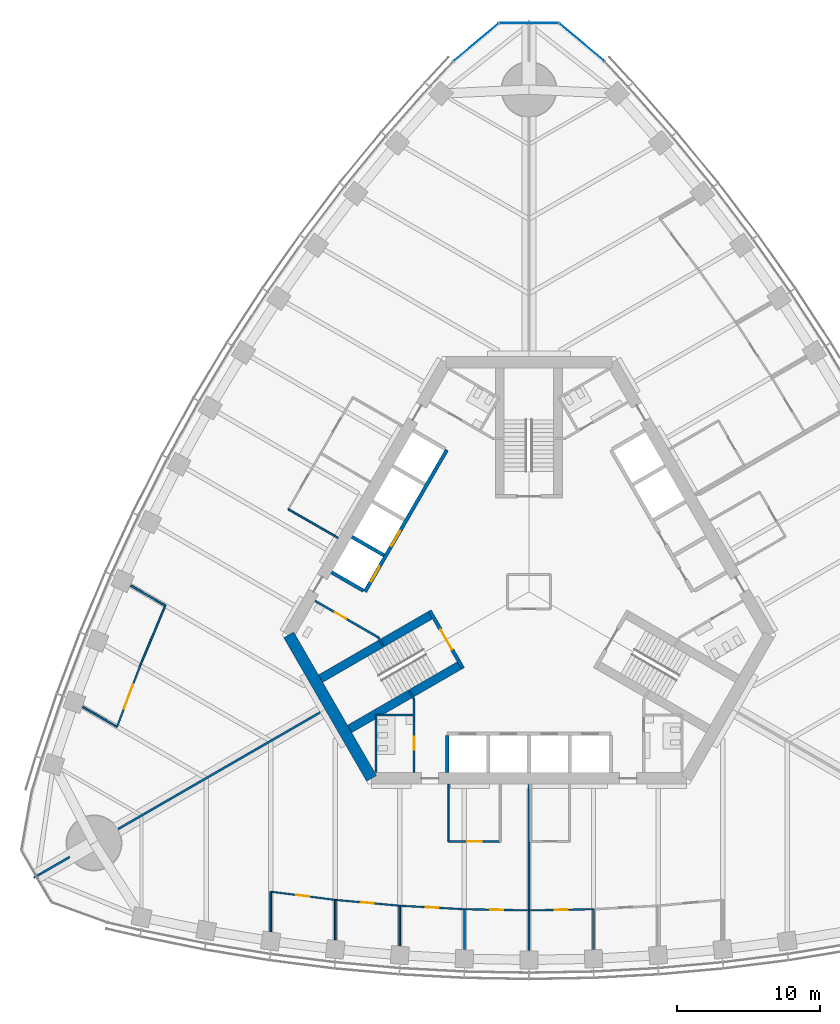
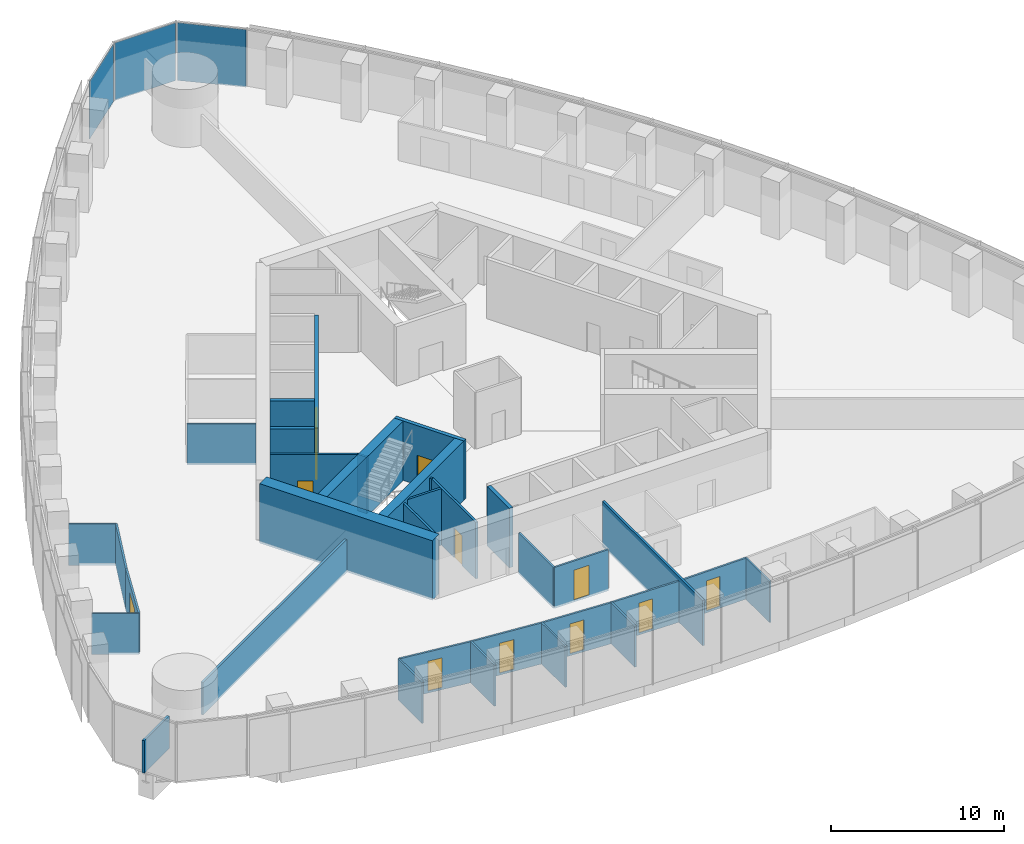
# One storey, part 11 of 19: 34 walls, 12 doors, 3 plates, 12 openings, 1 element without a shape of its own.
"""IFC4 building model written with IfcOpenShell, lengths in metres."""

from ifc_helpers import new_model, si_unit, direction, frame, frame_2d, origin, origin_2d, place, context, subcontext, project, spatial, rectangle, extrude, material, layer, layer_set, type_object, element, fill, aggregate, save


model = new_model("IFC4")

# Units and contexts
model_context = context("Model", 3, precision=1e-05, world=origin(), true_north=direction((0.0, 1.0)))
body_context = subcontext(model_context, "Body", "Model", "MODEL_VIEW")
ifc_project = project(units=[si_unit("LENGTHUNIT", "METRE"), si_unit("AREAUNIT", "SQUARE_METRE"), si_unit("VOLUMEUNIT", "CUBIC_METRE"), si_unit("PLANEANGLEUNIT", "RADIAN"), si_unit("MASSUNIT", "GRAM", prefix="KILO")], contexts=[model_context])

# Site, building, storey
site_placement = place(None, origin())
site = spatial("IfcSite", under=ifc_project, at=site_placement, CompositionType="ELEMENT")
building_placement = place(site_placement, origin())
building = spatial("IfcBuilding", under=site, at=building_placement, Name="Trefoil Bronze Tower", CompositionType="ELEMENT")
storey_placement = place(building_placement, frame((0.0, 0.0, 140.89990234375)))
storey = spatial("IfcBuildingStorey", under=building, at=storey_placement, Name="L32", CompositionType="ELEMENT", Elevation=140.89990234375)

# Curtain wall, plates
ifc_material_1 = material(Name="Tinted solar-control glass", Category="glass")
curtain_wall_type = type_object("IfcCurtainWallType", Name="Bronze rounded corner curtain wall", PredefinedType="USERDEFINED", material=ifc_material_1)
curtain_wall_placement = place(storey_placement, origin())
curtain_wall = element("IfcCurtainWall", 1, at=curtain_wall_placement, inside=storey, type_object=curtain_wall_type, Name="CW-B L32 K2", ObjectType="CURTAIN WALL", PredefinedType="USERDEFINED")
ifc_material_2 = material(Name="Tinted solar-control glass", Category="glass")
ifc_layer_1 = layer(ifc_material_2, 0.030029296875)
ifc_layer_set_1 = layer_set([ifc_layer_1], Name="Bronze rounded corner curtain wall glass panel")
plate_type = type_object("IfcPlateType", Name="Bronze rounded corner curtain wall glass panel", PredefinedType="CURTAIN_PANEL", material=ifc_layer_set_1)
plate_1_placement = place(storey_placement, frame((3.6884765625, 38.294921875, 0.0), z_axis=(0.0, 0.0, 1.0), x_axis=(-0.766044443119, 0.642787609687, 0.0)))
plate_1 = element("IfcPlate", 2, at=plate_1_placement, type_object=plate_type, Name="CW-B L32 K2 panel 1", PredefinedType="CURTAIN_PANEL", context=body_context, shape_type="SweptSolid", body=[
    extrude(rectangle(XDim=4.044189453125, YDim=0.030029296875, at=origin_2d()), origin(), (0.0, 0.0, 1.0), 4.080078125),
])
plate_2_placement = place(storey_placement, frame((0.0, 39.637451171875, 0.0), z_axis=(0.0, 0.0, 1.0), x_axis=(-1.0, 0.0, 0.0)))
plate_2 = element("IfcPlate", 3, at=plate_2_placement, type_object=plate_type, Name="CW-B L32 K2 panel 2", PredefinedType="CURTAIN_PANEL", context=body_context, shape_type="SweptSolid", body=[
    extrude(rectangle(XDim=4.044189453125, YDim=0.030029296875, at=origin_2d()), origin(), (0.0, 0.0, 1.0), 4.080078125),
])
plate_3_placement = place(storey_placement, frame((-3.6884765625, 38.294921875, 0.0), z_axis=(0.0, 0.0, 1.0), x_axis=(-0.766044443119, -0.642787609687, 0.0)))
plate_3 = element("IfcPlate", 4, at=plate_3_placement, type_object=plate_type, Name="CW-B L32 K2 panel 3", PredefinedType="CURTAIN_PANEL", context=body_context, shape_type="SweptSolid", body=[
    extrude(rectangle(XDim=4.044189453125, YDim=0.030029296875, at=origin_2d()), origin(), (0.0, 0.0, 1.0), 4.080078125),
])
aggregate(curtain_wall, [plate_1, plate_2, plate_3])

# Wall
ifc_material_3 = material(Name="Concrete B80", Category="concrete")
ifc_layer_2 = layer(ifc_material_3, 0.800048828125)
ifc_layer_set_2 = layer_set([ifc_layer_2], Name="Core wall 800")
wall_type_1 = type_object("IfcWallType", Name="Core wall 800", PredefinedType="SHEAR", material=ifc_layer_set_2)
wall_1_placement = place(storey_placement, frame((-16.7431640625, -3.0, 0.0), z_axis=(0.0, 0.0, 1.0), x_axis=(0.499995765644, -0.866027848477, 0.0)))
element("IfcWall", 5, at=wall_1_placement, inside=storey, type_object=wall_type_1, Name="Core short wall 3 L32", PredefinedType="SHEAR", context=body_context, shape_type="SweptSolid", body=[
    extrude(rectangle(XDim=11.546875, YDim=0.800048828125, at=frame_2d((5.7734375, 0.0))), origin(), (0.0, 0.0, 1.0), 4.2001953125),
])

# Wall, opening, door
ifc_material_4 = material(Name="Glazed partition", Category="glass")
ifc_layer_3 = layer(ifc_material_4, 0.1201171875)
ifc_layer_set_3 = layer_set([ifc_layer_3], Name="Glazed partition 120")
wall_type_2 = type_object("IfcWallType", Name="Glazed partition 120", PredefinedType="PARTITIONING", material=ifc_layer_set_3)
wall_2_placement = place(storey_placement, frame((-5.60009765625, -17.39990234375, 0.0), z_axis=(0.0, 0.0, 1.0), x_axis=(1.0, 0.0, 0.0)))
wall_2 = element("IfcWall", 6, at=wall_2_placement, inside=storey, type_object=wall_type_2, Name="Partition F1 L32", PredefinedType="PARTITIONING", context=body_context, shape_type="SweptSolid", body=[
    extrude(rectangle(XDim=3.60009765625, YDim=0.1201171875, at=frame_2d((1.800048828125, 0.0))), origin(), (0.0, 0.0, 1.0), 2.900146484375),
])
opening_1_placement = place(wall_2_placement, frame((1.300048828125, 0.0, 0.14990234375)))
opening_1 = element("IfcOpeningElement", 7, at=opening_1_placement, cuts=wall_2, Name="Opening D9", PredefinedType="OPENING", context=body_context, shape_type="SweptSolid", body=[
    extrude(rectangle(XDim=1.0, YDim=2.10009765625, at=frame_2d((0.5, 1.050048828125))), frame((0.0, 0.070068359375, 0.0), z_axis=(0.0, -1.0, 0.0), x_axis=(1.0, 0.0, 0.0)), (0.0, 0.0, 1.0), 0.14013671875),
])
ifc_material_5 = material(Name="Glazed timber door", Category="wood")
door_type_1 = type_object("IfcDoorType", Name="Meeting room door 1000", OperationType="SINGLE_SWING_LEFT", PredefinedType="DOOR", material=ifc_material_5)
door_1_placement = place(opening_1_placement, origin())
door_1 = element("IfcDoor", 8, at=door_1_placement, inside=storey, type_object=door_type_1, Name="Meeting room door F1 L32", OperationType="SINGLE_SWING_RIGHT", OverallHeight=2.10009765625, OverallWidth=1.0, PredefinedType="DOOR", context=body_context, shape_type="SweptSolid", body=[
    extrude(rectangle(XDim=1.0, YDim=2.10009765625, at=frame_2d((0.5, 1.050048828125))), frame((0.0, 0.02490234375, 0.0), z_axis=(0.0, -1.0, 0.0), x_axis=(1.0, 0.0, 0.0)), (0.0, 0.0, 1.0), 0.050048828125),
])
fill(opening_1, door_1)

# Wall
wall_3_placement = place(storey_placement, frame((-5.60009765625, -13.39990234375, 0.0), z_axis=(0.0, 0.0, 1.0), x_axis=(0.0, -1.0, 0.0)))
element("IfcWall", 9, at=wall_3_placement, inside=storey, type_object=wall_type_2, Name="Partition F1 L32", PredefinedType="PARTITIONING", context=body_context, shape_type="SweptSolid", body=[
    extrude(rectangle(XDim=4.0, YDim=0.1201171875, at=frame_2d((2.0, 0.0))), origin(), (0.0, 0.0, 1.0), 2.900146484375),
])

# Wall, opening, door
wall_4_placement = place(storey_placement, frame((0.0, -22.19970703125, 0.0), z_axis=(0.0, 0.0, 1.0), x_axis=(0.999837820638, 0.018009231578, 0.0)))
wall_4 = element("IfcWall", 10, at=wall_4_placement, inside=storey, type_object=wall_type_2, Name="Partition F1 L32", PredefinedType="PARTITIONING", context=body_context, shape_type="SweptSolid", body=[
    extrude(rectangle(XDim=4.500732421875, YDim=0.1201171875, at=frame_2d((2.25048828125, 0.0))), origin(), (0.0, 0.0, 1.0), 2.900146484375),
])
opening_2_placement = place(wall_4_placement, frame((1.800048828125, 0.0, 0.14990234375)))
opening_2 = element("IfcOpeningElement", 11, at=opening_2_placement, cuts=wall_4, Name="Opening D8", PredefinedType="OPENING", context=body_context, shape_type="SweptSolid", body=[
    extrude(rectangle(XDim=0.89990234375, YDim=2.10009765625, at=frame_2d((0.449951171875, 1.050048828125))), frame((0.0, 0.070068359375, 0.0), z_axis=(0.0, -1.0, 0.0), x_axis=(1.0, 0.0, 0.0)), (0.0, 0.0, 1.0), 0.14013671875),
])
ifc_material_6 = material(Name="Timber door", Category="wood")
door_type_2 = type_object("IfcDoorType", Name="Office door 900", OperationType="SINGLE_SWING_LEFT", PredefinedType="DOOR", material=ifc_material_6)
door_2_placement = place(opening_2_placement, frame((0.89990234375, 0.0, 0.0), z_axis=(0.0, 0.0, 1.0), x_axis=(-1.0, 0.0, 0.0)))
door_2 = element("IfcDoor", 12, at=door_2_placement, inside=storey, type_object=door_type_2, Name="Office door F1 L32", OperationType="SINGLE_SWING_RIGHT", OverallHeight=2.10009765625, OverallWidth=0.89990234375, PredefinedType="DOOR", context=body_context, shape_type="SweptSolid", body=[
    extrude(rectangle(XDim=0.89990234375, YDim=2.10009765625, at=frame_2d((0.449951171875, 1.050048828125))), frame((0.0, 0.02490234375, 0.0), z_axis=(0.0, -1.0, 0.0), x_axis=(1.0, 0.0, 0.0)), (0.0, 0.0, 1.0), 0.050048828125),
])
fill(opening_2, door_2)

wall_5_placement = place(storey_placement, frame((-13.5, -21.4677734375, 0.0), z_axis=(0.0, 0.0, 1.0), x_axis=(0.995930325215, -0.090126507295, 0.0)))
wall_5 = element("IfcWall", 13, at=wall_5_placement, inside=storey, type_object=wall_type_2, Name="Partition F1 L32", PredefinedType="PARTITIONING", context=body_context, shape_type="SweptSolid", body=[
    extrude(rectangle(XDim=4.518310546875, YDim=0.1201171875, at=frame_2d((2.25927734375, 0.0))), origin(), (0.0, 0.0, 1.0), 2.900146484375),
])
opening_3_placement = place(wall_5_placement, frame((1.800048828125, 0.0, 0.14990234375)))
opening_3 = element("IfcOpeningElement", 14, at=opening_3_placement, cuts=wall_5, Name="Opening D8", PredefinedType="OPENING", context=body_context, shape_type="SweptSolid", body=[
    extrude(rectangle(XDim=0.89990234375, YDim=2.10009765625, at=frame_2d((0.449951171875, 1.050048828125))), frame((0.0, 0.070068359375, 0.0), z_axis=(0.0, -1.0, 0.0), x_axis=(1.0, 0.0, 0.0)), (0.0, 0.0, 1.0), 0.14013671875),
])
door_3_placement = place(opening_3_placement, frame((0.89990234375, 0.0, 0.0), z_axis=(0.0, 0.0, 1.0), x_axis=(-1.0, 0.0, 0.0)))
door_3 = element("IfcDoor", 15, at=door_3_placement, inside=storey, type_object=door_type_2, Name="Office door F1 L32", OperationType="SINGLE_SWING_RIGHT", OverallHeight=2.10009765625, OverallWidth=0.89990234375, PredefinedType="DOOR", context=body_context, shape_type="SweptSolid", body=[
    extrude(rectangle(XDim=0.89990234375, YDim=2.10009765625, at=frame_2d((0.449951171875, 1.050048828125))), frame((0.0, 0.02490234375, 0.0), z_axis=(0.0, -1.0, 0.0), x_axis=(1.0, 0.0, 0.0)), (0.0, 0.0, 1.0), 0.050048828125),
])
fill(opening_3, door_3)

wall_6_placement = place(storey_placement, frame((-18.0, -20.8955078125, 0.0), z_axis=(0.0, 0.0, 1.0), x_axis=(0.992010652594, -0.12615413247, 0.0)))
wall_6 = element("IfcWall", 16, at=wall_6_placement, inside=storey, type_object=wall_type_2, Name="Partition F1 L32", PredefinedType="PARTITIONING", context=body_context, shape_type="SweptSolid", body=[
    extrude(rectangle(XDim=4.5361328125, YDim=0.1201171875, at=frame_2d((2.26806640625, 0.0))), origin(), (0.0, 0.0, 1.0), 2.900146484375),
])
opening_4_placement = place(wall_6_placement, frame((1.800048828125, 0.0, 0.14990234375)))
opening_4 = element("IfcOpeningElement", 17, at=opening_4_placement, cuts=wall_6, Name="Opening D8", PredefinedType="OPENING", context=body_context, shape_type="SweptSolid", body=[
    extrude(rectangle(XDim=0.89990234375, YDim=2.10009765625, at=frame_2d((0.449951171875, 1.050048828125))), frame((0.0, 0.070068359375, 0.0), z_axis=(0.0, -1.0, 0.0), x_axis=(1.0, 0.0, 0.0)), (0.0, 0.0, 1.0), 0.14013671875),
])
door_4_placement = place(opening_4_placement, frame((0.89990234375, 0.0, 0.0), z_axis=(0.0, 0.0, 1.0), x_axis=(-1.0, 0.0, 0.0)))
door_4 = element("IfcDoor", 18, at=door_4_placement, inside=storey, type_object=door_type_2, Name="Office door F1 L32", OperationType="SINGLE_SWING_RIGHT", OverallHeight=2.10009765625, OverallWidth=0.89990234375, PredefinedType="DOOR", context=body_context, shape_type="SweptSolid", body=[
    extrude(rectangle(XDim=0.89990234375, YDim=2.10009765625, at=frame_2d((0.449951171875, 1.050048828125))), frame((0.0, 0.02490234375, 0.0), z_axis=(0.0, -1.0, 0.0), x_axis=(1.0, 0.0, 0.0)), (0.0, 0.0, 1.0), 0.050048828125),
])
fill(opening_4, door_4)

wall_7_placement = place(storey_placement, frame((-4.5, -22.11865234375, 0.0), z_axis=(0.0, 0.0, 1.0), x_axis=(0.999837820638, -0.018009231578, 0.0)))
wall_7 = element("IfcWall", 19, at=wall_7_placement, inside=storey, type_object=wall_type_2, Name="Partition F1 L32", PredefinedType="PARTITIONING", context=body_context, shape_type="SweptSolid", body=[
    extrude(rectangle(XDim=4.500732421875, YDim=0.1201171875, at=frame_2d((2.25048828125, 0.0))), origin(), (0.0, 0.0, 1.0), 2.900146484375),
])
opening_5_placement = place(wall_7_placement, frame((1.800048828125, 0.0, 0.14990234375)))
opening_5 = element("IfcOpeningElement", 20, at=opening_5_placement, cuts=wall_7, Name="Opening D8", PredefinedType="OPENING", context=body_context, shape_type="SweptSolid", body=[
    extrude(rectangle(XDim=0.89990234375, YDim=2.10009765625, at=frame_2d((0.449951171875, 1.050048828125))), frame((0.0, 0.070068359375, 0.0), z_axis=(0.0, -1.0, 0.0), x_axis=(1.0, 0.0, 0.0)), (0.0, 0.0, 1.0), 0.14013671875),
])
door_5_placement = place(opening_5_placement, frame((0.89990234375, 0.0, 0.0), z_axis=(0.0, 0.0, 1.0), x_axis=(-1.0, 0.0, 0.0)))
door_5 = element("IfcDoor", 21, at=door_5_placement, inside=storey, type_object=door_type_2, Name="Office door F1 L32", OperationType="SINGLE_SWING_RIGHT", OverallHeight=2.10009765625, OverallWidth=0.89990234375, PredefinedType="DOOR", context=body_context, shape_type="SweptSolid", body=[
    extrude(rectangle(XDim=0.89990234375, YDim=2.10009765625, at=frame_2d((0.449951171875, 1.050048828125))), frame((0.0, 0.02490234375, 0.0), z_axis=(0.0, -1.0, 0.0), x_axis=(1.0, 0.0, 0.0)), (0.0, 0.0, 1.0), 0.050048828125),
])
fill(opening_5, door_5)

wall_8_placement = place(storey_placement, frame((-9.0, -21.875, 0.0), z_axis=(0.0, 0.0, 1.0), x_axis=(0.998537376538, -0.054065771581, 0.0)))
wall_8 = element("IfcWall", 22, at=wall_8_placement, inside=storey, type_object=wall_type_2, Name="Partition F1 L32", PredefinedType="PARTITIONING", context=body_context, shape_type="SweptSolid", body=[
    extrude(rectangle(XDim=4.506591796875, YDim=0.1201171875, at=frame_2d((2.25341796875, 0.0))), origin(), (0.0, 0.0, 1.0), 2.900146484375),
])
opening_6_placement = place(wall_8_placement, frame((1.800048828125, 0.0, 0.14990234375)))
opening_6 = element("IfcOpeningElement", 23, at=opening_6_placement, cuts=wall_8, Name="Opening D8", PredefinedType="OPENING", context=body_context, shape_type="SweptSolid", body=[
    extrude(rectangle(XDim=0.89990234375, YDim=2.10009765625, at=frame_2d((0.449951171875, 1.050048828125))), frame((0.0, 0.070068359375, 0.0), z_axis=(0.0, -1.0, 0.0), x_axis=(1.0, 0.0, 0.0)), (0.0, 0.0, 1.0), 0.14013671875),
])
door_6_placement = place(opening_6_placement, frame((0.89990234375, 0.0, 0.0), z_axis=(0.0, 0.0, 1.0), x_axis=(-1.0, 0.0, 0.0)))
door_6 = element("IfcDoor", 24, at=door_6_placement, inside=storey, type_object=door_type_2, Name="Office door F1 L32", OperationType="SINGLE_SWING_RIGHT", OverallHeight=2.10009765625, OverallWidth=0.89990234375, PredefinedType="DOOR", context=body_context, shape_type="SweptSolid", body=[
    extrude(rectangle(XDim=0.89990234375, YDim=2.10009765625, at=frame_2d((0.449951171875, 1.050048828125))), frame((0.0, 0.02490234375, 0.0), z_axis=(0.0, -1.0, 0.0), x_axis=(1.0, 0.0, 0.0)), (0.0, 0.0, 1.0), 0.050048828125),
])
fill(opening_6, door_6)

# Walls
wall_9_placement = place(storey_placement, frame((4.5, -22.11865234375, 0.0), z_axis=(0.0, 0.0, 1.0), x_axis=(0.0, -1.0, 0.0)))
element("IfcWall", 25, at=wall_9_placement, inside=storey, type_object=wall_type_2, Name="Partition F1 L32", PredefinedType="PARTITIONING", context=body_context, shape_type="SweptSolid", body=[
    extrude(rectangle(XDim=2.7939453125, YDim=0.1201171875, at=frame_2d((1.39697265625, 0.0))), origin(), (0.0, 0.0, 1.0), 2.900146484375),
])
wall_10_placement = place(storey_placement, frame((-13.5, -21.4677734375, 0.0), z_axis=(0.0, 0.0, 1.0), x_axis=(0.0, -1.0, 0.0)))
element("IfcWall", 26, at=wall_10_placement, inside=storey, type_object=wall_type_2, Name="Partition F1 L32", PredefinedType="PARTITIONING", context=body_context, shape_type="SweptSolid", body=[
    extrude(rectangle(XDim=2.78662109375, YDim=0.1201171875, at=frame_2d((1.393310546875, 0.0))), origin(), (0.0, 0.0, 1.0), 2.900146484375),
])
wall_11_placement = place(storey_placement, frame((-18.0, -20.8955078125, 0.0), z_axis=(0.0, 0.0, 1.0), x_axis=(0.0, -1.0, 0.0)))
element("IfcWall", 27, at=wall_11_placement, inside=storey, type_object=wall_type_2, Name="Partition F1 L32", PredefinedType="PARTITIONING", context=body_context, shape_type="SweptSolid", body=[
    extrude(rectangle(XDim=2.77978515625, YDim=0.1201171875, at=frame_2d((1.389892578125, 0.0))), origin(), (0.0, 0.0, 1.0), 2.900146484375),
])
wall_12_placement = place(storey_placement, frame((-4.5, -22.11865234375, 0.0), z_axis=(0.0, 0.0, 1.0), x_axis=(0.0, -1.0, 0.0)))
element("IfcWall", 28, at=wall_12_placement, inside=storey, type_object=wall_type_2, Name="Partition F1 L32", PredefinedType="PARTITIONING", context=body_context, shape_type="SweptSolid", body=[
    extrude(rectangle(XDim=2.7939453125, YDim=0.1201171875, at=frame_2d((1.39697265625, 0.0))), origin(), (0.0, 0.0, 1.0), 2.900146484375),
])
wall_13_placement = place(storey_placement, frame((-9.0, -21.875, 0.0), z_axis=(0.0, 0.0, 1.0), x_axis=(0.0, -1.0, 0.0)))
element("IfcWall", 29, at=wall_13_placement, inside=storey, type_object=wall_type_2, Name="Partition F1 L32", PredefinedType="PARTITIONING", context=body_context, shape_type="SweptSolid", body=[
    extrude(rectangle(XDim=2.791259765625, YDim=0.1201171875, at=frame_2d((1.3955078125, 0.0))), origin(), (0.0, 0.0, 1.0), 2.900146484375),
])
wall_14_placement = place(storey_placement, frame((-13.3046875, 3.755615234375, 0.0), z_axis=(0.0, 0.0, 1.0), x_axis=(-0.866026010844, 0.49999894854, 0.0)))
element("IfcWall", 30, at=wall_14_placement, inside=storey, type_object=wall_type_2, Name="Partition F3 L32", PredefinedType="PARTITIONING", context=body_context, shape_type="SweptSolid", body=[
    extrude(rectangle(XDim=4.0, YDim=0.1201171875, at=frame_2d((2.0, 0.0))), origin(), (0.0, 0.0, 1.0), 2.900146484375),
])
wall_15_placement = place(storey_placement, frame((-25.341552734375, -0.95751953125, 0.0), z_axis=(0.0, 0.0, 1.0), x_axis=(-0.386807881778, -0.922160323693, 0.0)))
element("IfcWall", 31, at=wall_15_placement, inside=storey, type_object=wall_type_2, Name="Partition F3 L32", PredefinedType="PARTITIONING", context=body_context, shape_type="SweptSolid", body=[
    extrude(rectangle(XDim=4.5361328125, YDim=0.1201171875, at=frame_2d((2.26806640625, 0.0))), origin(), (0.0, 0.0, 1.0), 2.900146484375),
])

# Wall, opening, door
wall_16_placement = place(storey_placement, frame((-27.09619140625, -5.140625, 0.0), z_axis=(0.0, 0.0, 1.0), x_axis=(-0.352894560512, -0.93566309597, 0.0)))
wall_16 = element("IfcWall", 32, at=wall_16_placement, inside=storey, type_object=wall_type_2, Name="Partition F3 L32", PredefinedType="PARTITIONING", context=body_context, shape_type="SweptSolid", body=[
    extrude(rectangle(XDim=4.560546875, YDim=0.1201171875, at=frame_2d((2.2802734375, 0.0))), origin(), (0.0, 0.0, 1.0), 2.900146484375),
])
opening_7_placement = place(wall_16_placement, frame((1.39990234375, 0.0, 0.14990234375)))
opening_7 = element("IfcOpeningElement", 33, at=opening_7_placement, cuts=wall_16, Name="Opening D10", PredefinedType="OPENING", context=body_context, shape_type="SweptSolid", body=[
    extrude(rectangle(XDim=1.800048828125, YDim=2.10009765625, at=frame_2d((0.89990234375, 1.050048828125))), frame((0.0, 0.070068359375, 0.0), z_axis=(0.0, -1.0, 0.0), x_axis=(1.0, 0.0, 0.0)), (0.0, 0.0, 1.0), 0.14013671875),
])
ifc_material_7 = material(Name="Timber door", Category="wood")
door_type_3 = type_object("IfcDoorType", Name="Double door 1800", OperationType="DOUBLE_DOOR_SINGLE_SWING", PredefinedType="DOOR", material=ifc_material_7)
door_7_placement = place(opening_7_placement, frame((1.800048828125, 0.0, 0.0), z_axis=(0.0, 0.0, 1.0), x_axis=(-1.0, 0.0, 0.0)))
door_7 = element("IfcDoor", 34, at=door_7_placement, inside=storey, type_object=door_type_3, Name="Library door F3 L32", OperationType="DOUBLE_DOOR_SINGLE_SWING", OverallHeight=2.10009765625, OverallWidth=1.800048828125, PredefinedType="DOOR", context=body_context, shape_type="SweptSolid", body=[
    extrude(rectangle(XDim=1.800048828125, YDim=2.10009765625, at=frame_2d((0.89990234375, 1.050048828125))), frame((0.0, 0.02490234375, 0.0), z_axis=(0.0, -1.0, 0.0), x_axis=(1.0, 0.0, 0.0)), (0.0, 0.0, 1.0), 0.050048828125),
])
fill(opening_7, door_7)

# Walls
wall_17_placement = place(storey_placement, frame((-25.341552734375, -0.95751953125, 0.0), z_axis=(0.0, 0.0, 1.0), x_axis=(-0.866029478545, 0.499992942241, 0.0)))
element("IfcWall", 35, at=wall_17_placement, inside=storey, type_object=wall_type_2, Name="Partition F3 L32", PredefinedType="PARTITIONING", context=body_context, shape_type="SweptSolid", body=[
    extrude(rectangle(XDim=2.78662109375, YDim=0.1201171875, at=frame_2d((1.393310546875, 0.0))), origin(), (0.0, 0.0, 1.0), 2.900146484375),
])
wall_18_placement = place(storey_placement, frame((-28.70556640625, -9.40771484375, 0.0), z_axis=(0.0, 0.0, 1.0), x_axis=(-0.866016849815, 0.500014815617, 0.0)))
element("IfcWall", 36, at=wall_18_placement, inside=storey, type_object=wall_type_2, Name="Partition F3 L32", PredefinedType="PARTITIONING", context=body_context, shape_type="SweptSolid", body=[
    extrude(rectangle(XDim=2.77099609375, YDim=0.1201171875, at=frame_2d((1.385498046875, 0.0))), origin(), (0.0, 0.0, 1.0), 2.900146484375),
])

# Wall, opening, door
ifc_material_8 = material(Name="Gypsum board on steel studs", Category="steel")
ifc_layer_4 = layer(ifc_material_8, 0.14990234375)
ifc_layer_set_4 = layer_set([ifc_layer_4], Name="Partition 150")
wall_type_3 = type_object("IfcWallType", Name="Partition 150", PredefinedType="PARTITIONING", material=ifc_layer_set_4)
wall_19_placement = place(storey_placement, frame((-8.0, -7.5, 0.0), z_axis=(0.0, 0.0, 1.0), x_axis=(0.0, -1.0, 0.0)))
wall_19 = element("IfcWall", 37, at=wall_19_placement, inside=storey, type_object=wall_type_3, Name="Passage wall F1- L32", PredefinedType="PARTITIONING", context=body_context, shape_type="SweptSolid", body=[
    extrude(rectangle(XDim=5.10009765625, YDim=0.14990234375, at=frame_2d((2.550048828125, 0.0))), origin(), (0.0, 0.0, 1.0), 4.0),
])
opening_8_placement = place(wall_19_placement, frame((2.60009765625, 0.0, 0.0)))
opening_8 = element("IfcOpeningElement", 38, at=opening_8_placement, cuts=wall_19, Name="Opening D3", PredefinedType="OPENING", context=body_context, shape_type="SweptSolid", body=[
    extrude(rectangle(XDim=0.89990234375, YDim=2.10009765625, at=frame_2d((0.449951171875, 1.050048828125))), frame((0.0, 0.0849609375, 0.0), z_axis=(0.0, -1.0, 0.0), x_axis=(1.0, 0.0, 0.0)), (0.0, 0.0, 1.0), 0.169921875),
])
ifc_material_9 = material(Name="Timber door", Category="wood")
door_type_4 = type_object("IfcDoorType", Name="WC door 900", OperationType="SINGLE_SWING_LEFT", PredefinedType="DOOR", material=ifc_material_9)
door_8_placement = place(opening_8_placement, frame((0.89990234375, 0.0, 0.0), z_axis=(0.0, 0.0, 1.0), x_axis=(-1.0, 0.0, 0.0)))
door_8 = element("IfcDoor", 39, at=door_8_placement, inside=storey, type_object=door_type_4, Name="WC (women) door L32", OperationType="SINGLE_SWING_RIGHT", OverallHeight=2.10009765625, OverallWidth=0.89990234375, PredefinedType="DOOR", context=body_context, shape_type="SweptSolid", body=[
    extrude(rectangle(XDim=0.89990234375, YDim=2.10009765625, at=frame_2d((0.449951171875, 1.050048828125))), frame((0.0, 0.02490234375, 0.0), z_axis=(0.0, -1.0, 0.0), x_axis=(1.0, 0.0, 0.0)), (0.0, 0.0, 1.0), 0.050048828125),
])
fill(opening_8, door_8)

wall_20_placement = place(storey_placement, frame((-10.4951171875, -3.17822265625, 0.0), z_axis=(0.0, 0.0, 1.0), x_axis=(-0.86602216432, 0.500005610874, 0.0)))
wall_20 = element("IfcWall", 40, at=wall_20_placement, inside=storey, type_object=wall_type_3, Name="Passage wall F3+ L32", PredefinedType="PARTITIONING", context=body_context, shape_type="SweptSolid", body=[
    extrude(rectangle(XDim=5.10009765625, YDim=0.14990234375, at=frame_2d((2.550048828125, 0.0))), origin(), (0.0, 0.0, 1.0), 4.0),
])
opening_9_placement = place(wall_20_placement, frame((2.60009765625, 0.0, 0.0)))
opening_9 = element("IfcOpeningElement", 41, at=opening_9_placement, cuts=wall_20, Name="Opening D3", PredefinedType="OPENING", context=body_context, shape_type="SweptSolid", body=[
    extrude(rectangle(XDim=0.89990234375, YDim=2.10009765625, at=frame_2d((0.449951171875, 1.050048828125))), frame((0.0, 0.0849609375, 0.0), z_axis=(0.0, -1.0, 0.0), x_axis=(1.0, 0.0, 0.0)), (0.0, 0.0, 1.0), 0.169921875),
])
door_9_placement = place(opening_9_placement, origin())
door_9 = element("IfcDoor", 42, at=door_9_placement, inside=storey, type_object=door_type_4, Name="Accessible WC door L32", OperationType="SINGLE_SWING_RIGHT", OverallHeight=2.10009765625, OverallWidth=0.89990234375, PredefinedType="DOOR", context=body_context, shape_type="SweptSolid", body=[
    extrude(rectangle(XDim=0.89990234375, YDim=2.10009765625, at=frame_2d((0.449951171875, 1.050048828125))), frame((0.0, 0.02490234375, 0.0), z_axis=(0.0, -1.0, 0.0), x_axis=(1.0, 0.0, 0.0)), (0.0, 0.0, 1.0), 0.050048828125),
])
fill(opening_9, door_9)

# Walls
for number, where, z_axis, x_axis, name in (
    (43, (-10.4951171875, -3.17822265625, 0.0), (0.0, 0.0, 1.0), (0.499842556608, -0.866116284689, 0.0), "WC wall ST3-1 L32"),
    (44, (-8.0, -7.5, 0.0), (0.0, 0.0, 1.0), (-0.499842556608, 0.866116284689, 0.0), "WC wall ST3+1 L32"),
):
    element("IfcWall", number, at=place(storey_placement, frame(where, z_axis=z_axis, x_axis=x_axis)), inside=storey, type_object=wall_type_3, Name=name, PredefinedType="PARTITIONING", context=body_context, shape_type="SweptSolid", body=[
        extrude(rectangle(XDim=0.645263671875, YDim=0.14990234375, at=frame_2d((0.32275390625, 0.0))), origin(), (0.0, 0.0, 1.0), 4.0),
    ])
wall_21_placement = place(storey_placement, frame((-10.659912109375, -8.5, 0.0), z_axis=(0.0, 0.0, 1.0), x_axis=(0.0, -1.0, 0.0)))
element("IfcWall", 45, at=wall_21_placement, inside=storey, type_object=wall_type_3, Name="WC partition WC (women) L32", PredefinedType="PARTITIONING", context=body_context, shape_type="SweptSolid", body=[
    extrude(rectangle(XDim=4.10009765625, YDim=0.14990234375, at=frame_2d((2.050048828125, 0.0))), origin(), (0.0, 0.0, 1.0), 4.0),
])
wall_22_placement = place(storey_placement, frame((-8.074951171875, -8.574951171875, 0.0), z_axis=(0.0, 0.0, 1.0), x_axis=(-1.0, 0.0, 0.0)))
element("IfcWall", 46, at=wall_22_placement, inside=storey, type_object=wall_type_3, Name="WC partition WC (women) L32", PredefinedType="PARTITIONING", context=body_context, shape_type="SweptSolid", body=[
    extrude(rectangle(XDim=2.510009765625, YDim=0.14990234375, at=frame_2d((1.2548828125, 0.0))), origin(), (0.0, 0.0, 1.0), 4.0),
])
ifc_material_10 = material(Name="Gypsum board on steel studs", Category="steel")
ifc_layer_5 = layer(ifc_material_10, 0.14990234375)
ifc_layer_set_5 = layer_set([ifc_layer_5], Name="Party wall 150")
wall_type_4 = type_object("IfcWallType", Name="Party wall 150", PredefinedType="PARTITIONING", material=ifc_layer_set_5)
wall_23_placement = place(storey_placement, frame((-14.202880859375, -8.199951171875, 0.0), z_axis=(0.0, 0.0, 1.0), x_axis=(-0.866024668836, -0.500001272966, 0.0)))
element("IfcWall", 47, at=wall_23_placement, inside=storey, type_object=wall_type_4, Name="Party wall K3 L32", PredefinedType="PARTITIONING", context=body_context, shape_type="SweptSolid", body=[
    extrude(rectangle(XDim=16.64990234375, YDim=0.14990234375, at=frame_2d((8.324951171875, 0.0))), origin(), (0.0, 0.0, 1.0), 2.300048828125),
])
wall_24_placement = place(storey_placement, frame((-31.999755859375, -18.47509765625, 0.0), z_axis=(0.0, 0.0, 1.0), x_axis=(-0.866042548026, -0.499970304126, 0.0)))
element("IfcWall", 48, at=wall_24_placement, inside=storey, type_object=wall_type_4, Name="Party wall K3 L32", PredefinedType="PARTITIONING", context=body_context, shape_type="SweptSolid", body=[
    extrude(rectangle(XDim=2.899169921875, YDim=0.14990234375, at=frame_2d((1.44970703125, 0.0))), origin(), (0.0, 0.0, 1.0), 2.300048828125),
])
wall_25_placement = place(storey_placement, frame((0.0, -13.409912109375, 0.0), z_axis=(0.0, 0.0, 1.0), x_axis=(0.0, -1.0, 0.0)))
element("IfcWall", 49, at=wall_25_placement, inside=storey, type_object=wall_type_4, Name="Demising wall F1 L32", PredefinedType="PARTITIONING", context=body_context, shape_type="SweptSolid", body=[
    extrude(rectangle(XDim=11.584716796875, YDim=0.14990234375, at=frame_2d((5.79248046875, 0.0))), origin(), (0.0, 0.0, 1.0), 3.2001953125),
])
ifc_material_11 = material(Name="Concrete B80", Category="concrete")
ifc_layer_6 = layer(ifc_material_11, 0.25)
ifc_layer_set_6 = layer_set([ifc_layer_6], Name="Shaft wall 250")
wall_type_5 = type_object("IfcWallType", Name="Shaft wall 250", PredefinedType="SHEAR", material=ifc_layer_set_6)
wall_26_placement = place(storey_placement, frame((-5.699951171875, -10.02490234375, 0.0), z_axis=(0.0, 0.0, 1.0), x_axis=(0.0, -1.0, 0.0)))
element("IfcWall", 50, at=wall_26_placement, inside=storey, type_object=wall_type_5, Name="Lift shaft side wall A0 L32", PredefinedType="SHEAR", context=body_context, shape_type="SweptSolid", body=[
    extrude(rectangle(XDim=2.5751953125, YDim=0.25, at=frame_2d((1.28759765625, 0.0))), origin(), (0.0, 0.0, 1.0), 4.2001953125),
])

# Wall, openings, doors
wall_27_placement = place(storey_placement, frame((-5.7236328125, 9.88623046875, 0.0), z_axis=(0.0, 0.0, 1.0), x_axis=(-0.500001763848, -0.866024385424, 0.0)))
wall_27 = element("IfcWall", 51, at=wall_27_placement, inside=storey, type_object=wall_type_5, Name="Lift shaft front wall C L32", PredefinedType="SHEAR", context=body_context, shape_type="SweptSolid", body=[
    extrude(rectangle(XDim=11.39990234375, YDim=0.25, at=frame_2d((5.699951171875, 0.0))), origin(), (0.0, 0.0, 1.0), 4.2001953125),
])
opening_10_placement = place(wall_27_placement, frame((6.52490234375, 0.0, 0.0)))
opening_10 = element("IfcOpeningElement", 52, at=opening_10_placement, cuts=wall_27, Name="Opening LD-FL1", PredefinedType="OPENING", context=body_context, shape_type="SweptSolid", body=[
    extrude(rectangle(XDim=1.199951171875, YDim=2.199951171875, at=frame_2d((0.60009765625, 1.10009765625))), frame((0.0, 0.135009765625, 0.0), z_axis=(0.0, -1.0, 0.0), x_axis=(1.0, 0.0, 0.0)), (0.0, 0.0, 1.0), 0.27001953125),
])
opening_11_placement = place(wall_27_placement, frame((9.375, 0.0, 0.0)))
opening_11 = element("IfcOpeningElement", 53, at=opening_11_placement, cuts=wall_27, Name="Opening LD-FL2", PredefinedType="OPENING", context=body_context, shape_type="SweptSolid", body=[
    extrude(rectangle(XDim=1.199951171875, YDim=2.199951171875, at=frame_2d((0.60009765625, 1.10009765625))), frame((0.0, 0.135009765625, 0.0), z_axis=(0.0, -1.0, 0.0), x_axis=(1.0, 0.0, 0.0)), (0.0, 0.0, 1.0), 0.27001953125),
])
ifc_material_12 = material(Name="Steel door", Category="steel")
door_type_5 = type_object("IfcDoorType", Name="Lift landing door 1200", OperationType="DOUBLE_DOOR_SLIDING", PredefinedType="DOOR", material=ifc_material_12)
door_10_placement = place(opening_10_placement, origin())
door_10 = element("IfcDoor", 54, at=door_10_placement, inside=storey, type_object=door_type_5, Name="Lift FL1 landing door L32", OperationType="DOUBLE_DOOR_SLIDING", OverallHeight=2.199951171875, OverallWidth=1.199951171875, PredefinedType="DOOR", context=body_context, shape_type="SweptSolid", body=[
    extrude(rectangle(XDim=1.199951171875, YDim=2.199951171875, at=frame_2d((0.60009765625, 1.10009765625))), frame((0.0, 0.02490234375, 0.0), z_axis=(0.0, -1.0, 0.0), x_axis=(1.0, 0.0, 0.0)), (0.0, 0.0, 1.0), 0.050048828125),
])
fill(opening_10, door_10)
door_11_placement = place(opening_11_placement, origin())
door_11 = element("IfcDoor", 55, at=door_11_placement, inside=storey, type_object=door_type_5, Name="Lift FL2 landing door L32", OperationType="DOUBLE_DOOR_SLIDING", OverallHeight=2.199951171875, OverallWidth=1.199951171875, PredefinedType="DOOR", context=body_context, shape_type="SweptSolid", body=[
    extrude(rectangle(XDim=1.199951171875, YDim=2.199951171875, at=frame_2d((0.60009765625, 1.10009765625))), frame((0.0, 0.02490234375, 0.0), z_axis=(0.0, -1.0, 0.0), x_axis=(1.0, 0.0, 0.0)), (0.0, 0.0, 1.0), 0.050048828125),
])
fill(opening_11, door_11)

# Walls
for number, where, z_axis, x_axis, name in (
    (56, (-10.10693359375, 2.54443359375, 0.0), (0.0, 0.0, 1.0), (-0.866046643894, 0.499963209246, 0.0), "Lift shaft side wall C3 L32"),
    (57, (-11.531982421875, 0.076171875, 0.0), (0.0, 0.0, 1.0), (-0.866005588531, 0.500034319456, 0.0), "Lift shaft side wall C4 L32"),
):
    element("IfcWall", number, at=place(storey_placement, frame(where, z_axis=z_axis, x_axis=x_axis)), inside=storey, type_object=wall_type_5, Name=name, PredefinedType="SHEAR", context=body_context, shape_type="SweptSolid", body=[
        extrude(rectangle(XDim=2.574951171875, YDim=0.25, at=frame_2d((1.28759765625, 0.0))), origin(), (0.0, 0.0, 1.0), 4.2001953125),
    ])

# Wall, opening, door
wall_28_placement = place(storey_placement, frame((-6.921630859375, -1.3115234375, 0.0), z_axis=(0.0, 0.0, 1.0), x_axis=(0.499984536904, -0.866034331223, 0.0)))
wall_28 = element("IfcWall", 58, at=wall_28_placement, inside=storey, type_object=wall_type_5, Name="Stair end wall ST3 L32", PredefinedType="SHEAR", context=body_context, shape_type="SweptSolid", body=[
    extrude(rectangle(XDim=4.650146484375, YDim=0.25, at=frame_2d((2.3251953125, 0.0))), origin(), (0.0, 0.0, 1.0), 4.2001953125),
])
opening_12_placement = place(wall_28_placement, frame((1.52490234375, 0.0, 0.0)))
opening_12 = element("IfcOpeningElement", 59, at=opening_12_placement, cuts=wall_28, Name="Opening D1", PredefinedType="OPENING", context=body_context, shape_type="SweptSolid", body=[
    extrude(rectangle(XDim=1.60009765625, YDim=2.10009765625, at=frame_2d((0.800048828125, 1.050048828125))), frame((0.0, 0.135009765625, 0.0), z_axis=(0.0, -1.0, 0.0), x_axis=(1.0, 0.0, 0.0)), (0.0, 0.0, 1.0), 0.27001953125),
])
ifc_material_13 = material(Name="Steel door", Category="steel")
door_type_6 = type_object("IfcDoorType", Name="Stair door 1600", OperationType="DOUBLE_DOOR_SINGLE_SWING", PredefinedType="DOOR", material=ifc_material_13)
door_12_placement = place(opening_12_placement, frame((1.60009765625, 0.0, 0.0), z_axis=(0.0, 0.0, 1.0), x_axis=(-1.0, 0.0, 0.0)))
door_12 = element("IfcDoor", 60, at=door_12_placement, inside=storey, type_object=door_type_6, Name="Stair door ST3 L32", OperationType="DOUBLE_DOOR_SINGLE_SWING", OverallHeight=2.10009765625, OverallWidth=1.60009765625, PredefinedType="DOOR", context=body_context, shape_type="SweptSolid", body=[
    extrude(rectangle(XDim=1.60009765625, YDim=2.10009765625, at=frame_2d((0.800048828125, 1.050048828125))), frame((0.0, 0.02490234375, 0.0), z_axis=(0.0, -1.0, 0.0), x_axis=(1.0, 0.0, 0.0)), (0.0, 0.0, 1.0), 0.050048828125),
])
fill(opening_12, door_12)

# Walls
ifc_material_14 = material(Name="Concrete B80", Category="concrete")
ifc_layer_7 = layer(ifc_material_14, 0.60009765625)
ifc_layer_set_7 = layer_set([ifc_layer_7], Name="Stair wall 600")
wall_type_6 = type_object("IfcWallType", Name="Stair wall 600", PredefinedType="SHEAR", material=ifc_layer_set_7)
for number, where, z_axis, x_axis, name in (
    (61, (-6.663330078125, -1.5087890625, 0.0), (0.0, 0.0, 1.0), (-0.866019375473, -0.500010441196, 0.0), "Stair wall ST3 L32"),
    (62, (-4.638427734375, -5.01611328125, 0.0), (0.0, 0.0, 1.0), (-0.866019375473, -0.500010441196, 0.0), "Stair wall ST3 L32"),
):
    element("IfcWall", number, at=place(storey_placement, frame(where, z_axis=z_axis, x_axis=x_axis)), inside=storey, type_object=wall_type_6, Name=name, PredefinedType="SHEAR", context=body_context, shape_type="SweptSolid", body=[
        extrude(rectangle(XDim=9.074951171875, YDim=0.60009765625, at=frame_2d((4.53759765625, 0.0))), origin(), (0.0, 0.0, 1.0), 4.2001953125),
    ])

save(model, "model.ifc")
